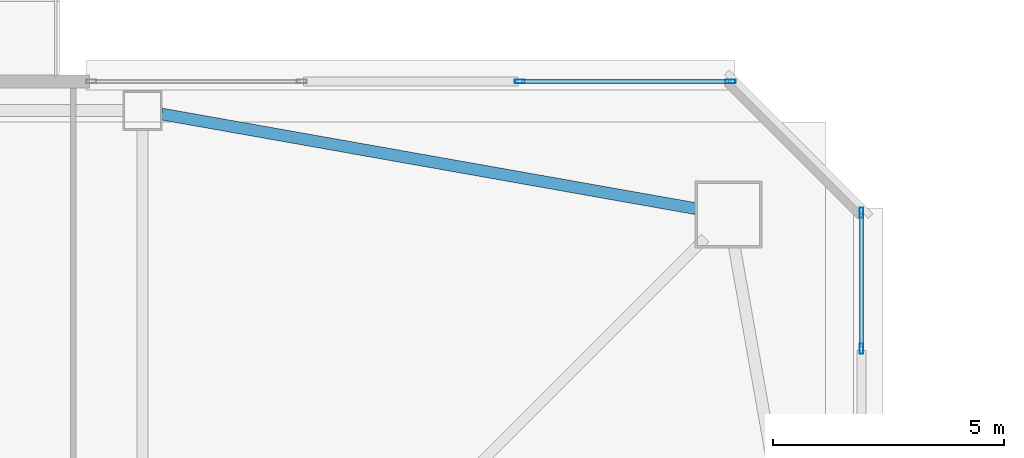
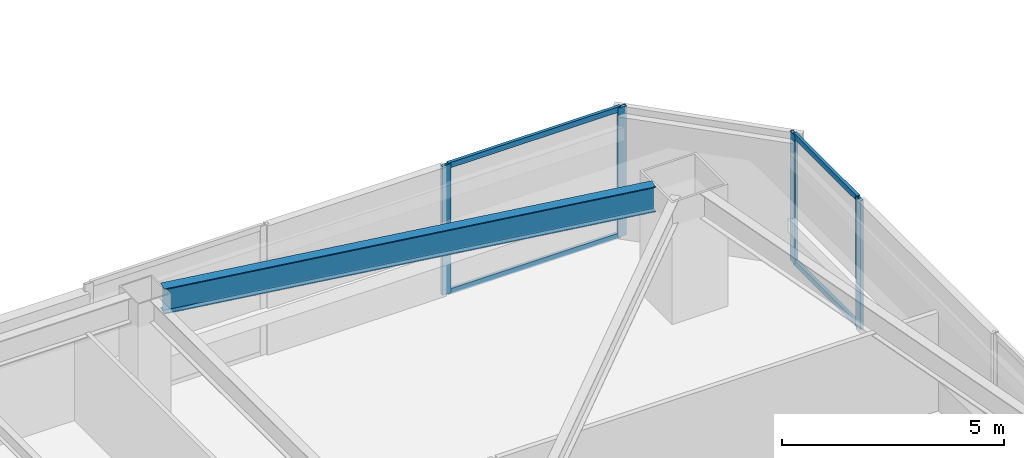
# One storey, part 16 of 47: 8 members, 1 beam, 2 elements without a shape of their own.
"""IFC4 building model written with IfcOpenShell, lengths in metres."""

import ifcopenshell
import ifcopenshell.guid

model = None  # the IFC model being written
_history = None  # IfcOwnerHistory: only IFC2X3 demands one
_inside = {}  # id of a spatial element -> (the spatial element, [elements in it])
_under = {}  # id of a project, library or spatial element -> (it, [spatial elements below it])
_declared = {}  # id of a project -> (the project, [libraries it declares])
_typed = {}  # id of a type object -> (the type object, [elements of that type])
_made_of = {}  # id of a material, layer set ... -> (it, [elements and type objects made of it])


def new_model(schema):
    """Start an empty IFC model of exactly this schema.

    Asked for "IFC4X3", IfcOpenShell would pick the latest addendum, in which some entities
    have other attributes; the version numbers below select the first issue.
    IFC2X3 requires an IfcOwnerHistory on every rooted entity: one is made here for all.
    """
    global model, _history
    if schema == "IFC4X3":
        model = ifcopenshell.file(schema_version=(4, 3, 0, 0))
    else:
        model = ifcopenshell.file(schema=schema)
    _inside.clear()
    _under.clear()
    _declared.clear()
    _typed.clear()
    _made_of.clear()
    _history = None
    if model.schema == "IFC2X3":
        org = make("IfcOrganization", Name="unknown")
        user = make(
            "IfcPersonAndOrganization",
            ThePerson=make("IfcPerson", FamilyName="unknown"),
            TheOrganization=org,
        )
        app = make(
            "IfcApplication",
            ApplicationDeveloper=org,
            Version="unknown",
            ApplicationFullName="unknown",
            ApplicationIdentifier="unknown",
        )
        _history = make(
            "IfcOwnerHistory",
            OwningUser=user,
            OwningApplication=app,
            ChangeAction="ADDED",
            CreationDate=0,
        )
    return model


def make(cls, **values):
    """One entity of the class cls with the attributes given. An attribute that is None is left unset."""
    return model.create_entity(
        cls, **{name: value for name, value in values.items() if value is not None}
    )


def rooted(cls, **values):
    """An entity with a GlobalId (a new one), such as an element, a storey or a relation."""
    return make(cls, GlobalId=ifcopenshell.guid.new(), OwnerHistory=_history, **values)


def si_unit(unit_type, name, prefix=None):
    """IfcSIUnit, for example si_unit("LENGTHUNIT", "METRE", prefix="MILLI")."""
    return make("IfcSIUnit", UnitType=unit_type, Prefix=prefix, Name=name)


def assignment(units):
    """IfcUnitAssignment: the units of a project."""
    return None if units is None else make("IfcUnitAssignment", Units=units)


def point(xyz):
    """IfcCartesianPoint."""
    return None if xyz is None else make("IfcCartesianPoint", Coordinates=xyz)


def direction(xyz):
    """IfcDirection."""
    return None if xyz is None else make("IfcDirection", DirectionRatios=xyz)


def frame(location, z_axis=None, x_axis=None):
    """IfcAxis2Placement3D, a coordinate frame: its origin and axes. An axis left out is left unset."""
    return make(
        "IfcAxis2Placement3D",
        Location=point(location),
        Axis=direction(z_axis),
        RefDirection=direction(x_axis),
    )


def frame_2d(location, x_axis=None):
    """IfcAxis2Placement2D, a coordinate frame in the plane: its origin and x axis."""
    return make(
        "IfcAxis2Placement2D", Location=point(location), RefDirection=direction(x_axis)
    )


def origin():
    """The frame at (0, 0, 0) with its axes left unset."""
    return frame((0.0, 0.0, 0.0))


def origin_2d():
    """The frame at (0, 0) in the plane with its x axis left unset."""
    return frame_2d((0.0, 0.0))


def place(relative_to, where):
    """IfcLocalPlacement: puts the frame where relative to a parent placement (None: the world)."""
    return make(
        "IfcLocalPlacement", PlacementRelTo=relative_to, RelativePlacement=where
    )


def context(
    kind, dimensions, precision=None, world=None, true_north=None, identifier=None
):
    """IfcGeometricRepresentationContext, for example the 3D "Model" context."""
    return make(
        "IfcGeometricRepresentationContext",
        ContextIdentifier=identifier,
        ContextType=kind,
        CoordinateSpaceDimension=dimensions,
        Precision=precision,
        WorldCoordinateSystem=world,
        TrueNorth=true_north,
    )


def subcontext(parent, identifier, kind, view, scale=None):
    """IfcGeometricRepresentationSubContext, for example "Body" below "Model"."""
    return make(
        "IfcGeometricRepresentationSubContext",
        ContextIdentifier=identifier,
        ContextType=kind,
        ParentContext=parent,
        TargetScale=scale,
        TargetView=view,
    )


def project(units=None, contexts=None):
    """IfcProject with its units and contexts."""
    return rooted(
        "IfcProject",
        Name="project",
        RepresentationContexts=contexts,
        UnitsInContext=assignment(units),
    )


def spatial(cls, under=None, at=None, **own):
    """A site, building, storey or space (cls), placed at a placement, below another one or the project."""
    s = rooted(cls, ObjectPlacement=at, **own)
    if under is not None:
        _under.setdefault(under.id(), (under, []))[1].append(s)
    return s


def profile(cls, at=None, kind="AREA", **sizes):
    """A parametric profile (cls). Its sizes go by their IFC names, for example OverallWidth=200.0."""
    return make(cls, ProfileType=kind, Position=at, **sizes)


def hollow_rectangle(**sizes):
    """IfcRectangleHollowProfileDef."""
    return profile("IfcRectangleHollowProfileDef", **sizes)


def i_section(**sizes):
    """IfcIShapeProfileDef."""
    return profile("IfcIShapeProfileDef", **sizes)


def extrude(swept, where, along, depth):
    """IfcExtrudedAreaSolid: the profile swept, set in the frame where, extruded along a direction by depth."""
    return make(
        "IfcExtrudedAreaSolid",
        SweptArea=swept,
        Position=where,
        ExtrudedDirection=direction(along),
        Depth=depth,
    )


def shape(context_of_items, identifier, shape_type, items):
    """IfcShapeRepresentation: the items that make up one representation, for example the "Body"."""
    return make(
        "IfcShapeRepresentation",
        ContextOfItems=context_of_items,
        RepresentationIdentifier=identifier,
        RepresentationType=shape_type,
        Items=items,
    )


def material(Name=None, Category=None):
    """IfcMaterial."""
    return make("IfcMaterial", Name=Name, Category=Category)


def material_profile(
    of_material, cross_section, Name=None, Category=None, Priority=None
):
    """IfcMaterialProfile: a cross section and its material."""
    return make(
        "IfcMaterialProfile",
        Name=Name,
        Material=of_material,
        Profile=cross_section,
        Priority=Priority,
        Category=Category,
    )


def profile_set(profiles, Name=None, composite=None):
    """IfcMaterialProfileSet."""
    return make(
        "IfcMaterialProfileSet",
        Name=Name,
        MaterialProfiles=profiles,
        CompositeProfile=composite,
    )


def made_of(thing, what):
    """Note that an element or type object is made of a material, layer set ...; save() writes the relation."""
    if what is not None:
        _made_of.setdefault(what.id(), (what, []))[1].append(thing)
    return thing


def type_object(cls, material=None, **own):
    """A type object (cls), such as IfcWallType, which elements share."""
    return made_of(rooted(cls, **own), material)


def element(
    cls,
    number,
    at=None,
    inside=None,
    cuts=None,
    type_object=None,
    material=None,
    context=None,
    identifier="Body",
    shape_type=None,
    held_by="IfcProductDefinitionShape",
    body=None,
    shapes=None,
    **own,
):
    """One element of the class cls, such as IfcWall. Its Tag is "e" and its number.

    at: its placement. inside: the storey or other place that contains it. cuts: it is an
    opening in that element (IfcRelVoidsElement). A single representation is given by context,
    identifier, shape_type and body (its items); several are given by shapes. held_by: the class
    of the entity that holds the representations. save() writes the other relations.
    """
    e = rooted(cls, Tag="e%d" % number, ObjectPlacement=at, **own)
    if body is not None:
        shapes = [shape(context, identifier, shape_type, body)]
    if shapes is not None:
        e.Representation = make(held_by, Representations=shapes)
    if inside is not None:
        _inside.setdefault(inside.id(), (inside, []))[1].append(e)
    if cuts is not None:
        rooted(
            "IfcRelVoidsElement", RelatingBuildingElement=cuts, RelatedOpeningElement=e
        )
    if type_object is not None:
        _typed.setdefault(type_object.id(), (type_object, []))[1].append(e)
    return made_of(e, material)


def aggregate(whole, parts):
    """IfcRelAggregates: a whole, such as a stair, and the parts it consists of."""
    return rooted("IfcRelAggregates", RelatingObject=whole, RelatedObjects=parts)


def save(model, path):
    """Write the relations noted so far, then the file.

    IfcRelAggregates (storeys below a building ...), IfcRelContainedInSpatialStructure (elements
    in a storey), IfcRelDefinesByType, IfcRelAssociatesMaterial and IfcRelDeclares: one each for
    every whole, place, type object, material and project.
    """
    for whole, parts in _under.values():
        aggregate(whole, parts)
    for where, things in _inside.values():
        rooted(
            "IfcRelContainedInSpatialStructure",
            RelatedElements=things,
            RelatingStructure=where,
        )
    for kind, things in _typed.values():
        rooted("IfcRelDefinesByType", RelatedObjects=things, RelatingType=kind)
    for what, things in _made_of.values():
        rooted("IfcRelAssociatesMaterial", RelatedObjects=things, RelatingMaterial=what)
    for by, libraries in _declared.values():
        rooted("IfcRelDeclares", RelatingContext=by, RelatedDefinitions=libraries)
    model.write(path)


model = new_model("IFC4")

# Units and contexts
model_context = context("Model", 3, precision=1e-05, world=origin(), true_north=direction((0.0, 1.0)))
body_context = subcontext(model_context, "Body", "Model", "MODEL_VIEW")
ifc_project = project(units=[si_unit("LENGTHUNIT", "METRE"), si_unit("AREAUNIT", "SQUARE_METRE"), si_unit("VOLUMEUNIT", "CUBIC_METRE"), si_unit("PLANEANGLEUNIT", "RADIAN"), si_unit("MASSUNIT", "GRAM", prefix="KILO")], contexts=[model_context])

# Site, building, storey
site_placement = place(None, origin())
site = spatial("IfcSite", under=ifc_project, at=site_placement, CompositionType="ELEMENT")
building_placement = place(site_placement, origin())
building = spatial("IfcBuilding", under=site, at=building_placement, Name="Tashvorn Skyway Center", CompositionType="ELEMENT")
storey_placement = place(building_placement, frame((0.0, 0.0, 81.39990234375)))
storey = spatial("IfcBuildingStorey", under=building, at=storey_placement, Name="L21", CompositionType="ELEMENT", Elevation=81.39990234375)

# Beam
ifc_material_1 = material(Name="Steel ASTM A992 Grade 50", Category="steel")
ifc_material_profile_1 = material_profile(ifc_material_1, i_section(OverallWidth=0.256103515625, OverallDepth=0.693115234375, WebThickness=0.014404296875, FlangeThickness=0.023681640625, at=origin_2d()), Name="W27X114")
ifc_profile_set_1 = profile_set([ifc_material_profile_1], Name="Steel ASTM A992 Grade 50")
beam_type = type_object("IfcBeamType", Name="BM-SPANDREL-W27X114", PredefinedType="SPANDREL", material=ifc_profile_set_1)
beam_placement = place(storey_placement, frame((59.39111328125, 50.2255859375, 3.003662109375), z_axis=(-0.98466816531, 0.174437966698, 0.0), x_axis=(-0.174437966698, -0.98466816531, 0.0)))
element("IfcBeam", 1, at=beam_placement, inside=storey, type_object=beam_type, Name="Tower 1 L21 Spandrel Beam 07", PredefinedType="SPANDREL", context=body_context, shape_type="SweptSolid", body=[
    extrude(i_section(OverallWidth=0.256103515625, OverallDepth=0.693115234375, WebThickness=0.014404296875, FlangeThickness=0.023681640625, at=origin_2d()), origin(), (0.0, 0.0, 1.0), 11.7578125),
])

# Curtain wall, members
ifc_material_2 = material(Name="Thermally broken bronze-anodized aluminium 6063-T6", Category="aluminium")
curtain_wall_type = type_object("IfcCurtainWallType", Name="CW-CW-Z2", PredefinedType="NOTDEFINED", material=ifc_material_2)
curtain_wall_1_placement = place(storey_placement, origin())
curtain_wall_1 = element("IfcCurtainWall", 2, at=curtain_wall_1_placement, inside=storey, type_object=curtain_wall_type, Name="Tower 1 L21 North Curtain Wall R Glazing Group 2", PredefinedType="NOTDEFINED")
ifc_material_profile_2 = material_profile(ifc_material_2, hollow_rectangle(XDim=0.080078125, YDim=0.219970703125, WallThickness=0.0048828125, at=origin_2d()), Name="ALU-MULL-80x220")
ifc_profile_set_2 = profile_set([ifc_material_profile_2], Name="Thermally broken bronze-anodized aluminium 6063-T6")
member_type_1 = type_object("IfcMemberType", Name="CWM-CW-Z2", PredefinedType="MULLION", material=ifc_profile_set_2)
member_1_placement = place(storey_placement, frame((55.57666015625, 52.97998046875, 0.0), z_axis=(0.0, 0.0, 1.0), x_axis=(0.0, 1.0, 0.0)))
member_1 = element("IfcMember", 3, at=member_1_placement, type_object=member_type_1, Name="CW-Z2 mullion 1", PredefinedType="MULLION", context=body_context, shape_type="SweptSolid", body=[
    extrude(hollow_rectangle(XDim=0.080078125, YDim=0.219970703125, WallThickness=0.0048828125, at=origin_2d()), origin(), (0.0, 0.0, 1.0), 3.550048828125),
])
member_2_placement = place(storey_placement, frame((60.139892578125, 52.97998046875, 0.0), z_axis=(0.0, 0.0, 1.0), x_axis=(0.0, 1.0, 0.0)))
member_2 = element("IfcMember", 4, at=member_2_placement, type_object=member_type_1, Name="CW-Z2 mullion 2", PredefinedType="MULLION", context=body_context, shape_type="SweptSolid", body=[
    extrude(hollow_rectangle(XDim=0.080078125, YDim=0.219970703125, WallThickness=0.0048828125, at=origin_2d()), origin(), (0.0, 0.0, 1.0), 3.550048828125),
])

curtain_wall_2_placement = place(storey_placement, origin())
curtain_wall_2 = element("IfcCurtainWall", 5, at=curtain_wall_2_placement, inside=storey, type_object=curtain_wall_type, Name="Tower 1 L21 East Unitised Curtain Wall Glazing Group 1", PredefinedType="NOTDEFINED")
member_3_placement = place(storey_placement, frame((62.97998046875, 50.139892578125, 0.0), z_axis=(0.0, 0.0, 1.0), x_axis=(1.0, 0.0, 0.0)))
member_3 = element("IfcMember", 6, at=member_3_placement, type_object=member_type_1, Name="CW-Z2 mullion 1", PredefinedType="MULLION", context=body_context, shape_type="SweptSolid", body=[
    extrude(hollow_rectangle(XDim=0.080078125, YDim=0.219970703125, WallThickness=0.0048828125, at=origin_2d()), origin(), (0.0, 0.0, 1.0), 3.550048828125),
])
member_4_placement = place(storey_placement, frame((62.97998046875, 47.18994140625, 0.0), z_axis=(0.0, 0.0, 1.0), x_axis=(1.0, 0.0, 0.0)))
member_4 = element("IfcMember", 7, at=member_4_placement, type_object=member_type_1, Name="CW-Z2 mullion 2", PredefinedType="MULLION", context=body_context, shape_type="SweptSolid", body=[
    extrude(hollow_rectangle(XDim=0.080078125, YDim=0.219970703125, WallThickness=0.0048828125, at=origin_2d()), origin(), (0.0, 0.0, 1.0), 3.550048828125),
])

# Member
ifc_material_profile_3 = material_profile(ifc_material_2, hollow_rectangle(XDim=0.080078125, YDim=0.14990234375, WallThickness=0.00439453125, at=origin_2d()), Name="ALU-TRAN-80x150")
ifc_profile_set_3 = profile_set([ifc_material_profile_3], Name="Thermally broken bronze-anodized aluminium 6063-T6")
member_type_2 = type_object("IfcMemberType", Name="CWT-CW-Z2", PredefinedType="USERDEFINED", material=ifc_profile_set_3)
member_5_placement = place(storey_placement, frame((55.61669921875, 52.97998046875, 0.0400390625), z_axis=(1.0, 0.0, 0.0), x_axis=(0.0, 1.0, 0.0)))
member_5 = element("IfcMember", 8, at=member_5_placement, type_object=member_type_2, Name="CW-Z2 transom 1.1", ObjectType="TRANSOM", PredefinedType="USERDEFINED", context=body_context, shape_type="SweptSolid", body=[
    extrude(hollow_rectangle(XDim=0.080078125, YDim=0.14990234375, WallThickness=0.00439453125, at=origin_2d()), origin(), (0.0, 0.0, 1.0), 4.4833984375),
])

member_6_placement = place(storey_placement, frame((55.61669921875, 52.97998046875, 3.510009765625), z_axis=(1.0, 0.0, 0.0), x_axis=(0.0, 1.0, 0.0)))
member_6 = element("IfcMember", 9, at=member_6_placement, type_object=member_type_2, Name="CW-Z2 transom 1.2", ObjectType="TRANSOM", PredefinedType="USERDEFINED", context=body_context, shape_type="SweptSolid", body=[
    extrude(hollow_rectangle(XDim=0.080078125, YDim=0.14990234375, WallThickness=0.00439453125, at=origin_2d()), origin(), (0.0, 0.0, 1.0), 4.4833984375),
])

aggregate(curtain_wall_1, [member_1, member_2, member_5, member_6])

member_7_placement = place(storey_placement, frame((62.97998046875, 50.10009765625, 0.0400390625), z_axis=(0.0, -1.0, 0.0), x_axis=(1.0, 0.0, 0.0)))
member_7 = element("IfcMember", 10, at=member_7_placement, type_object=member_type_2, Name="CW-Z2 transom 1.1", ObjectType="TRANSOM", PredefinedType="USERDEFINED", context=body_context, shape_type="SweptSolid", body=[
    extrude(hollow_rectangle(XDim=0.080078125, YDim=0.14990234375, WallThickness=0.00439453125, at=origin_2d()), origin(), (0.0, 0.0, 1.0), 2.8701171875),
])

member_8_placement = place(storey_placement, frame((62.97998046875, 50.10009765625, 3.510009765625), z_axis=(0.0, -1.0, 0.0), x_axis=(1.0, 0.0, 0.0)))
member_8 = element("IfcMember", 11, at=member_8_placement, type_object=member_type_2, Name="CW-Z2 transom 1.2", ObjectType="TRANSOM", PredefinedType="USERDEFINED", context=body_context, shape_type="SweptSolid", body=[
    extrude(hollow_rectangle(XDim=0.080078125, YDim=0.14990234375, WallThickness=0.00439453125, at=origin_2d()), origin(), (0.0, 0.0, 1.0), 2.8701171875),
])

aggregate(curtain_wall_2, [member_3, member_4, member_7, member_8])

save(model, "model.ifc")
